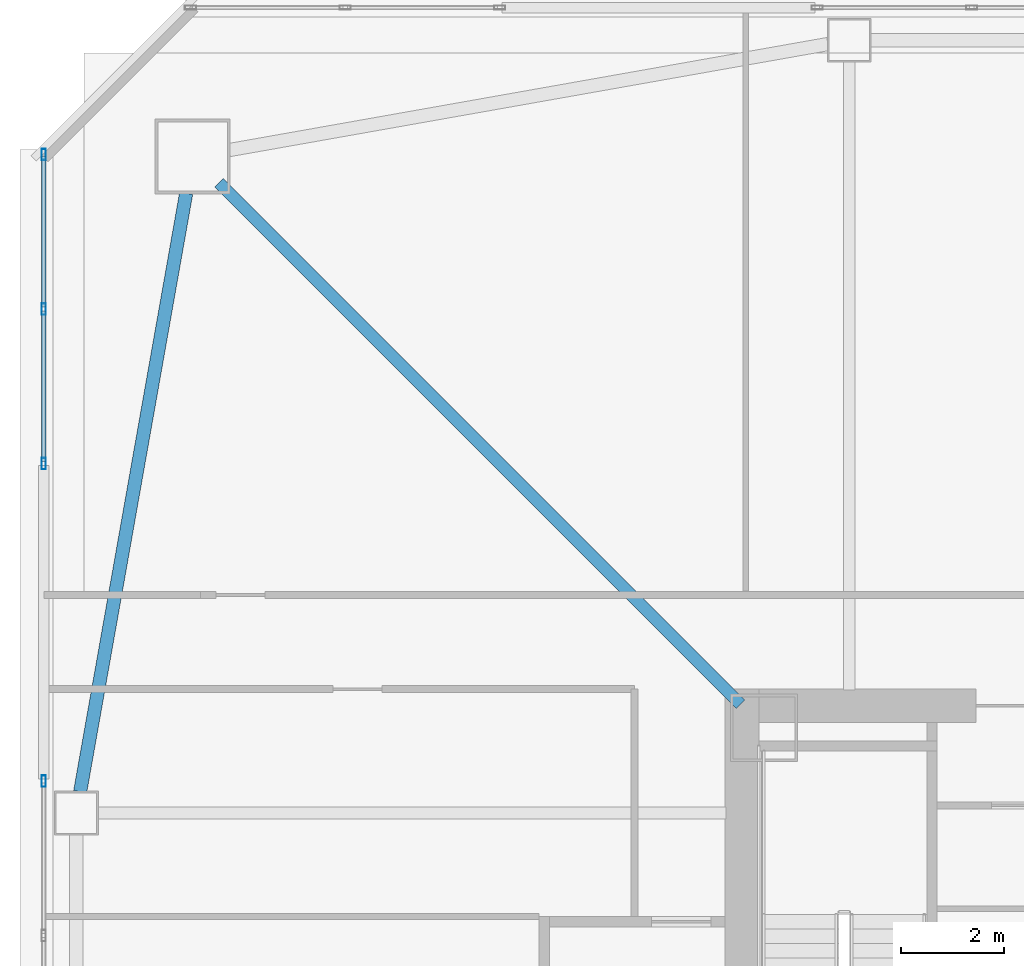
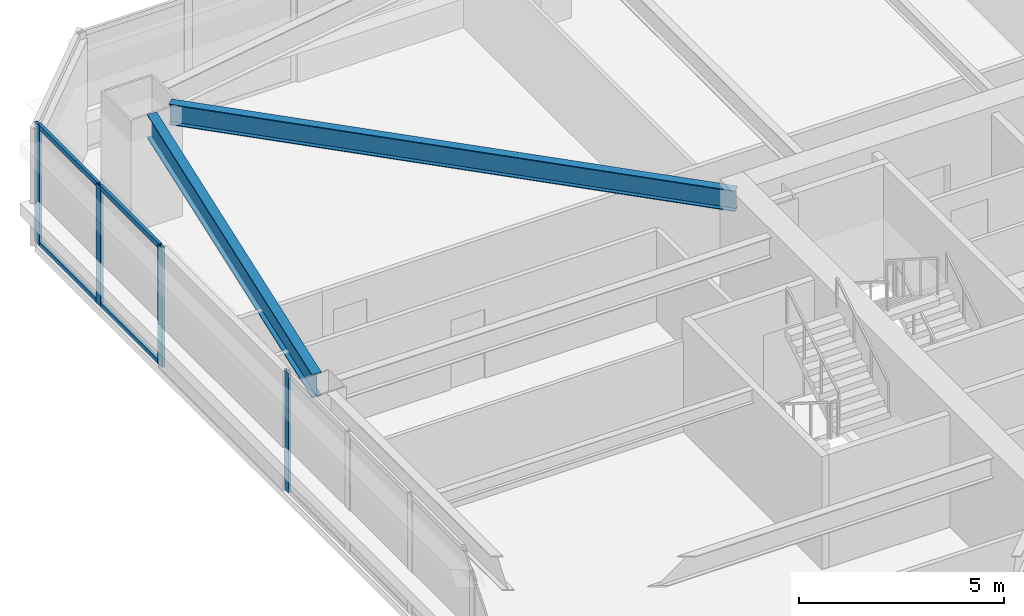
# One storey, part 11 of 44: 8 members, 2 beams, 2 elements without a shape of their own.
"""IFC4 building model written with IfcOpenShell, lengths in metres."""

from ifc_helpers import new_model, si_unit, direction, frame, origin, origin_2d, place, context, subcontext, project, spatial, hollow_rectangle, i_section, extrude, material, material_profile, profile_set, type_object, element, aggregate, save


model = new_model("IFC4")

# Units and contexts
model_context = context("Model", 3, precision=1e-05, world=origin(), true_north=direction((0.0, 1.0)))
body_context = subcontext(model_context, "Body", "Model", "MODEL_VIEW")
ifc_project = project(units=[si_unit("LENGTHUNIT", "METRE"), si_unit("AREAUNIT", "SQUARE_METRE"), si_unit("VOLUMEUNIT", "CUBIC_METRE"), si_unit("PLANEANGLEUNIT", "RADIAN"), si_unit("MASSUNIT", "GRAM", prefix="KILO")], contexts=[model_context])

# Site, building, storey
site_placement = place(None, origin())
site = spatial("IfcSite", under=ifc_project, at=site_placement, CompositionType="ELEMENT")
building_placement = place(site_placement, origin())
building = spatial("IfcBuilding", under=site, at=building_placement, Name="Tashvorn Skyway Center", CompositionType="ELEMENT")
storey_placement = place(building_placement, frame((0.0, 0.0, 84.949951171875)))
storey = spatial("IfcBuildingStorey", under=building, at=storey_placement, Name="L22", CompositionType="ELEMENT", Elevation=84.949951171875)

# Beams
ifc_material_1 = material(Name="Steel ASTM A992 Grade 50", Category="steel")
ifc_material_profile_1 = material_profile(ifc_material_1, i_section(OverallWidth=0.22998046875, OverallDepth=0.616943359375, WebThickness=0.01318359375, FlangeThickness=0.022216796875, at=origin_2d()), Name="W24X94")
ifc_profile_set_1 = profile_set([ifc_material_profile_1], Name="Steel ASTM A992 Grade 50")
beam_type_1 = type_object("IfcBeamType", Name="BM-BEAM-W24X94", PredefinedType="BEAM", material=ifc_profile_set_1)
beam_1_placement = place(storey_placement, frame((24.4091796875, 49.5908203125, 3.04150390625), z_axis=(0.707106781187, -0.707106781187, 0.0), x_axis=(0.707106781187, 0.707106781187, 0.0)))
element("IfcBeam", 1, at=beam_1_placement, inside=storey, type_object=beam_type_1, Name="Tower 1 L22 Primary Floor Girder MC-NW", PredefinedType="BEAM", context=body_context, shape_type="SweptSolid", body=[
    extrude(i_section(OverallWidth=0.22998046875, OverallDepth=0.616943359375, WebThickness=0.01318359375, FlangeThickness=0.022216796875, at=origin_2d()), origin(), (0.0, 0.0, 1.0), 14.261962890625),
])
ifc_material_profile_2 = material_profile(ifc_material_1, i_section(OverallWidth=0.256103515625, OverallDepth=0.693115234375, WebThickness=0.014404296875, FlangeThickness=0.023681640625, at=origin_2d()), Name="W27X114")
ifc_profile_set_2 = profile_set([ifc_material_profile_2], Name="Steel ASTM A992 Grade 50")
beam_type_2 = type_object("IfcBeamType", Name="BM-SPANDREL-W27X114", PredefinedType="SPANDREL", material=ifc_profile_set_2)
beam_2_placement = place(storey_placement, frame((23.7744140625, 49.39111328125, 3.003662109375), z_axis=(-0.174437966698, -0.98466816531, 0.0), x_axis=(0.98466816531, -0.174437966698, 0.0)))
element("IfcBeam", 2, at=beam_2_placement, inside=storey, type_object=beam_type_2, Name="Tower 1 L22 Spandrel Beam 10", PredefinedType="SPANDREL", context=body_context, shape_type="SweptSolid", body=[
    extrude(i_section(OverallWidth=0.256103515625, OverallDepth=0.693115234375, WebThickness=0.014404296875, FlangeThickness=0.023681640625, at=origin_2d()), origin(), (0.0, 0.0, 1.0), 11.7578125),
])

# Curtain wall, member
ifc_material_2 = material(Name="Thermally broken bronze-anodized aluminium 6063-T6", Category="aluminium")
curtain_wall_type = type_object("IfcCurtainWallType", Name="CW-CW-Z2", PredefinedType="NOTDEFINED", material=ifc_material_2)
curtain_wall_1_placement = place(storey_placement, origin())
curtain_wall_1 = element("IfcCurtainWall", 3, at=curtain_wall_1_placement, inside=storey, type_object=curtain_wall_type, Name="Tower 1 L22 West Unitised Curtain Wall Glazing Group 2", PredefinedType="NOTDEFINED")
ifc_material_profile_3 = material_profile(ifc_material_2, hollow_rectangle(XDim=0.080078125, YDim=0.219970703125, WallThickness=0.0048828125, at=origin_2d()), Name="ALU-MULL-80x220")
ifc_profile_set_3 = profile_set([ifc_material_profile_3], Name="Thermally broken bronze-anodized aluminium 6063-T6")
member_type_1 = type_object("IfcMemberType", Name="CWM-CW-Z2", PredefinedType="MULLION", material=ifc_profile_set_3)
member_1_placement = place(storey_placement, frame((21.02001953125, 38.02001953125, 0.0), z_axis=(0.0, 0.0, 1.0), x_axis=(-1.0, 0.0, 0.0)))
member_1 = element("IfcMember", 4, at=member_1_placement, type_object=member_type_1, Name="CW-Z2 mullion 5", PredefinedType="MULLION", context=body_context, shape_type="SweptSolid", body=[
    extrude(hollow_rectangle(XDim=0.080078125, YDim=0.219970703125, WallThickness=0.0048828125, at=origin_2d()), origin(), (0.0, 0.0, 1.0), 3.550048828125),
])
aggregate(curtain_wall_1, [member_1])

# Curtain wall, members
curtain_wall_2_placement = place(storey_placement, origin())
curtain_wall_2 = element("IfcCurtainWall", 5, at=curtain_wall_2_placement, inside=storey, type_object=curtain_wall_type, Name="Tower 1 L22 West Unitised Curtain Wall Glazing Group 3", PredefinedType="NOTDEFINED")
member_2_placement = place(storey_placement, frame((21.02001953125, 44.159912109375, 0.0), z_axis=(0.0, 0.0, 1.0), x_axis=(-1.0, 0.0, 0.0)))
member_2 = element("IfcMember", 6, at=member_2_placement, type_object=member_type_1, Name="CW-Z2 mullion 1", PredefinedType="MULLION", context=body_context, shape_type="SweptSolid", body=[
    extrude(hollow_rectangle(XDim=0.080078125, YDim=0.219970703125, WallThickness=0.0048828125, at=origin_2d()), origin(), (0.0, 0.0, 1.0), 3.550048828125),
])
member_3_placement = place(storey_placement, frame((21.02001953125, 47.14990234375, 0.0), z_axis=(0.0, 0.0, 1.0), x_axis=(-1.0, 0.0, 0.0)))
member_3 = element("IfcMember", 7, at=member_3_placement, type_object=member_type_1, Name="CW-Z2 mullion 2", PredefinedType="MULLION", context=body_context, shape_type="SweptSolid", body=[
    extrude(hollow_rectangle(XDim=0.080078125, YDim=0.219970703125, WallThickness=0.0048828125, at=origin_2d()), origin(), (0.0, 0.0, 1.0), 3.550048828125),
])
member_4_placement = place(storey_placement, frame((21.02001953125, 50.139892578125, 0.0), z_axis=(0.0, 0.0, 1.0), x_axis=(-1.0, 0.0, 0.0)))
member_4 = element("IfcMember", 8, at=member_4_placement, type_object=member_type_1, Name="CW-Z2 mullion 3", PredefinedType="MULLION", context=body_context, shape_type="SweptSolid", body=[
    extrude(hollow_rectangle(XDim=0.080078125, YDim=0.219970703125, WallThickness=0.0048828125, at=origin_2d()), origin(), (0.0, 0.0, 1.0), 3.550048828125),
])
ifc_material_profile_4 = material_profile(ifc_material_2, hollow_rectangle(XDim=0.080078125, YDim=0.14990234375, WallThickness=0.00439453125, at=origin_2d()), Name="ALU-TRAN-80x150")
ifc_profile_set_4 = profile_set([ifc_material_profile_4], Name="Thermally broken bronze-anodized aluminium 6063-T6")
member_type_2 = type_object("IfcMemberType", Name="CWT-CW-Z2", PredefinedType="USERDEFINED", material=ifc_profile_set_4)
member_5_placement = place(storey_placement, frame((21.02001953125, 44.199951171875, 0.0400390625), z_axis=(0.0, 1.0, 0.0), x_axis=(-1.0, 0.0, 0.0)))
member_5 = element("IfcMember", 9, at=member_5_placement, type_object=member_type_2, Name="CW-Z2 transom 1.1", ObjectType="TRANSOM", PredefinedType="USERDEFINED", context=body_context, shape_type="SweptSolid", body=[
    extrude(hollow_rectangle(XDim=0.080078125, YDim=0.14990234375, WallThickness=0.00439453125, at=origin_2d()), origin(), (0.0, 0.0, 1.0), 2.91015625),
])
member_6_placement = place(storey_placement, frame((21.02001953125, 44.199951171875, 3.510009765625), z_axis=(0.0, 1.0, 0.0), x_axis=(-1.0, 0.0, 0.0)))
member_6 = element("IfcMember", 10, at=member_6_placement, type_object=member_type_2, Name="CW-Z2 transom 1.2", ObjectType="TRANSOM", PredefinedType="USERDEFINED", context=body_context, shape_type="SweptSolid", body=[
    extrude(hollow_rectangle(XDim=0.080078125, YDim=0.14990234375, WallThickness=0.00439453125, at=origin_2d()), origin(), (0.0, 0.0, 1.0), 2.91015625),
])
member_7_placement = place(storey_placement, frame((21.02001953125, 47.18994140625, 0.0400390625), z_axis=(0.0, 1.0, 0.0), x_axis=(-1.0, 0.0, 0.0)))
member_7 = element("IfcMember", 11, at=member_7_placement, type_object=member_type_2, Name="CW-Z2 transom 2.1", ObjectType="TRANSOM", PredefinedType="USERDEFINED", context=body_context, shape_type="SweptSolid", body=[
    extrude(hollow_rectangle(XDim=0.080078125, YDim=0.14990234375, WallThickness=0.00439453125, at=origin_2d()), origin(), (0.0, 0.0, 1.0), 2.91015625),
])
member_8_placement = place(storey_placement, frame((21.02001953125, 47.18994140625, 3.510009765625), z_axis=(0.0, 1.0, 0.0), x_axis=(-1.0, 0.0, 0.0)))
member_8 = element("IfcMember", 12, at=member_8_placement, type_object=member_type_2, Name="CW-Z2 transom 2.2", ObjectType="TRANSOM", PredefinedType="USERDEFINED", context=body_context, shape_type="SweptSolid", body=[
    extrude(hollow_rectangle(XDim=0.080078125, YDim=0.14990234375, WallThickness=0.00439453125, at=origin_2d()), origin(), (0.0, 0.0, 1.0), 2.91015625),
])
aggregate(curtain_wall_2, [member_2, member_3, member_4, member_5, member_6, member_7, member_8])

save(model, "model.ifc")
